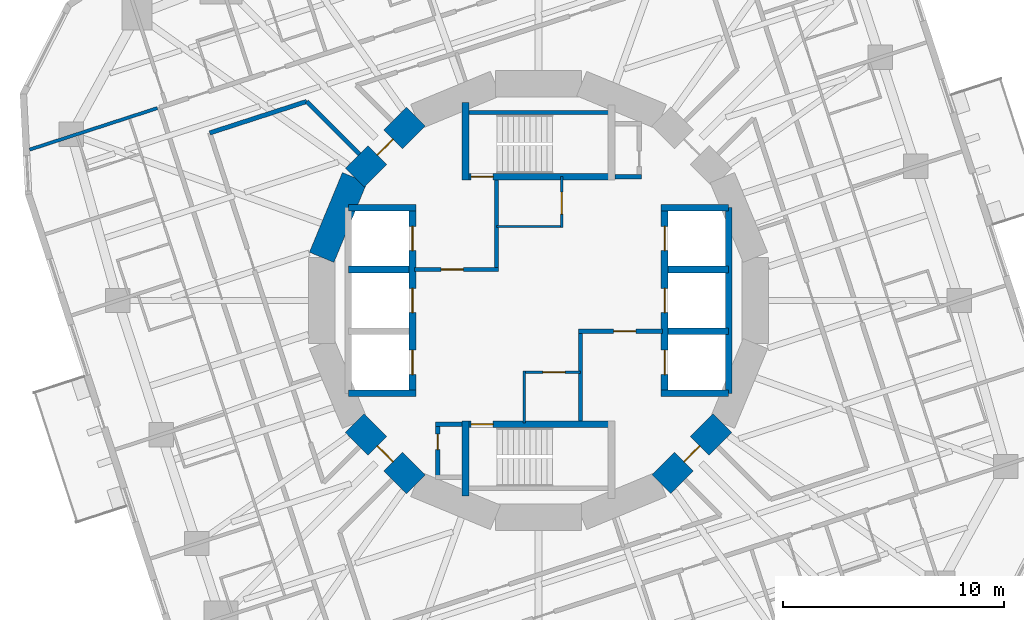
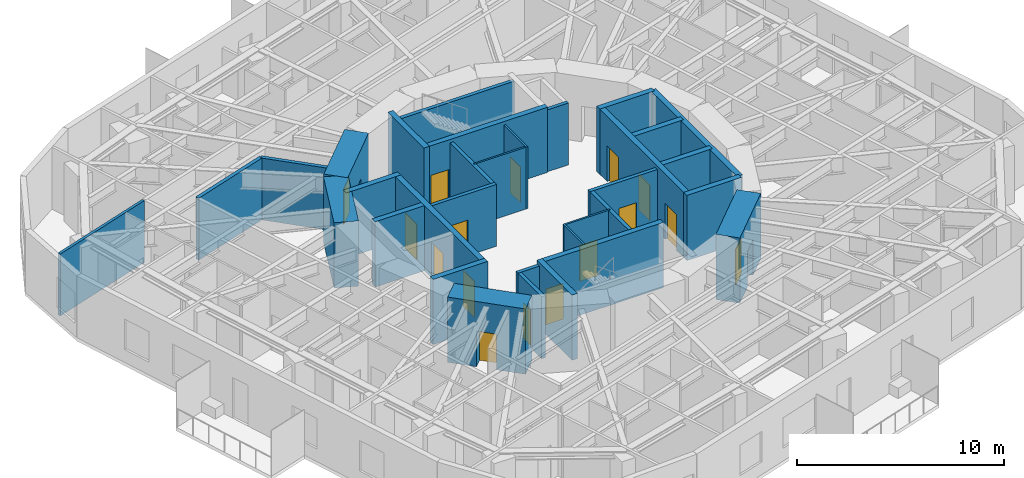
# One storey, part 6 of 12: 33 walls, 16 doors, 16 openings.
"""IFC4 building model written with IfcOpenShell, lengths in metres."""

from ifc_helpers import new_model, si_unit, direction, frame, frame_2d, origin, place, context, subcontext, project, spatial, rectangle, extrude, material, layer, layer_set, type_object, element, fill, save


model = new_model("IFC4")

# Units and contexts
model_context = context("Model", 3, precision=1e-05, world=origin(), true_north=direction((0.0, 1.0)))
body_context = subcontext(model_context, "Body", "Model", "MODEL_VIEW")
ifc_project = project(units=[si_unit("LENGTHUNIT", "METRE"), si_unit("AREAUNIT", "SQUARE_METRE"), si_unit("VOLUMEUNIT", "CUBIC_METRE"), si_unit("PLANEANGLEUNIT", "RADIAN"), si_unit("MASSUNIT", "GRAM", prefix="KILO")], contexts=[model_context])

# Site, building, storey
site_placement = place(None, origin())
site = spatial("IfcSite", under=ifc_project, at=site_placement, CompositionType="ELEMENT")
building_placement = place(site_placement, origin())
building = spatial("IfcBuilding", under=site, at=building_placement, Name="Nakasero Lantern House", CompositionType="ELEMENT")
storey_placement = place(building_placement, frame((0.0, 0.0, 172.60009765625)))
storey = spatial("IfcBuildingStorey", under=building, at=storey_placement, Name="L42", CompositionType="ELEMENT", Elevation=172.60009765625)

# Wall, openings, doors
ifc_material_1 = material(Name="Concrete C50/60", Category="concrete")
ifc_layer_1 = layer(ifc_material_1, 0.300048828125)
ifc_layer_set_1 = layer_set([ifc_layer_1], Name="Core inner wall 300")
wall_type_1 = type_object("IfcWallType", Name="Core inner wall 300", PredefinedType="SHEAR", material=ifc_layer_set_1)
wall_1_placement = place(storey_placement, frame((-5.699951171875, -4.199951171875, 0.0), z_axis=(0.0, 0.0, 1.0), x_axis=(0.0, 1.0, 0.0)))
wall_1 = element("IfcWall", 1, at=wall_1_placement, inside=storey, type_object=wall_type_1, Name="Core inner wall L42 LW", PredefinedType="SHEAR", context=body_context, shape_type="SweptSolid", body=[
    extrude(rectangle(XDim=8.39990234375, YDim=0.300048828125, at=frame_2d((4.199951171875, 0.0))), origin(), (0.0, 0.0, 1.0), 3.849853515625),
])
opening_1_placement = place(wall_1_placement, frame((0.85009765625, 0.0, 0.0)))
opening_1 = element("IfcOpeningElement", 2, at=opening_1_placement, cuts=wall_1, Name="Opening LD", PredefinedType="OPENING", context=body_context, shape_type="SweptSolid", body=[
    extrude(rectangle(XDim=1.10009765625, YDim=2.10009765625, at=frame_2d((0.550048828125, 1.050048828125))), frame((0.0, 0.169921875, 0.0), z_axis=(0.0, -1.0, 0.0), x_axis=(1.0, 0.0, 0.0)), (0.0, 0.0, 1.0), 0.340087890625),
])
opening_2_placement = place(wall_1_placement, frame((3.64990234375, 0.0, 0.0)))
opening_2 = element("IfcOpeningElement", 3, at=opening_2_placement, cuts=wall_1, Name="Opening LD", PredefinedType="OPENING", context=body_context, shape_type="SweptSolid", body=[
    extrude(rectangle(XDim=1.10009765625, YDim=2.10009765625, at=frame_2d((0.550048828125, 1.050048828125))), frame((0.0, 0.169921875, 0.0), z_axis=(0.0, -1.0, 0.0), x_axis=(1.0, 0.0, 0.0)), (0.0, 0.0, 1.0), 0.340087890625),
])
opening_3_placement = place(wall_1_placement, frame((6.449951171875, 0.0, 0.0)))
opening_3 = element("IfcOpeningElement", 4, at=opening_3_placement, cuts=wall_1, Name="Opening LD", PredefinedType="OPENING", context=body_context, shape_type="SweptSolid", body=[
    extrude(rectangle(XDim=1.10009765625, YDim=2.10009765625, at=frame_2d((0.550048828125, 1.050048828125))), frame((0.0, 0.169921875, 0.0), z_axis=(0.0, -1.0, 0.0), x_axis=(1.0, 0.0, 0.0)), (0.0, 0.0, 1.0), 0.340087890625),
])
ifc_material_2 = material(Name="Steel S355", Category="steel")
door_type_1 = type_object("IfcDoorType", Name="Lift landing door E120 1100", OperationType="SLIDING_TO_LEFT", PredefinedType="DOOR", material=ifc_material_2)
door_1_placement = place(opening_1_placement, origin())
door_1 = element("IfcDoor", 5, at=door_1_placement, inside=storey, type_object=door_type_1, Name="Lift landing door LW1", OperationType="SLIDING_TO_LEFT", OverallHeight=2.10009765625, OverallWidth=1.10009765625, PredefinedType="DOOR", context=body_context, shape_type="SweptSolid", body=[
    extrude(rectangle(XDim=1.10009765625, YDim=2.10009765625, at=frame_2d((0.550048828125, 1.050048828125))), frame((0.0, 0.02490234375, 0.0), z_axis=(0.0, -1.0, 0.0), x_axis=(1.0, 0.0, 0.0)), (0.0, 0.0, 1.0), 0.050048828125),
])
fill(opening_1, door_1)
door_2_placement = place(opening_2_placement, origin())
door_2 = element("IfcDoor", 6, at=door_2_placement, inside=storey, type_object=door_type_1, Name="Lift landing door LW2", OperationType="SLIDING_TO_LEFT", OverallHeight=2.10009765625, OverallWidth=1.10009765625, PredefinedType="DOOR", context=body_context, shape_type="SweptSolid", body=[
    extrude(rectangle(XDim=1.10009765625, YDim=2.10009765625, at=frame_2d((0.550048828125, 1.050048828125))), frame((0.0, 0.02490234375, 0.0), z_axis=(0.0, -1.0, 0.0), x_axis=(1.0, 0.0, 0.0)), (0.0, 0.0, 1.0), 0.050048828125),
])
fill(opening_2, door_2)
door_3_placement = place(opening_3_placement, origin())
door_3 = element("IfcDoor", 7, at=door_3_placement, inside=storey, type_object=door_type_1, Name="Lift landing door LW3", OperationType="SLIDING_TO_LEFT", OverallHeight=2.10009765625, OverallWidth=1.10009765625, PredefinedType="DOOR", context=body_context, shape_type="SweptSolid", body=[
    extrude(rectangle(XDim=1.10009765625, YDim=2.10009765625, at=frame_2d((0.550048828125, 1.050048828125))), frame((0.0, 0.02490234375, 0.0), z_axis=(0.0, -1.0, 0.0), x_axis=(1.0, 0.0, 0.0)), (0.0, 0.0, 1.0), 0.050048828125),
])
fill(opening_3, door_3)

wall_2_placement = place(storey_placement, frame((5.699951171875, -4.199951171875, 0.0), z_axis=(0.0, 0.0, 1.0), x_axis=(0.0, 1.0, 0.0)))
wall_2 = element("IfcWall", 8, at=wall_2_placement, inside=storey, type_object=wall_type_1, Name="Core inner wall L42 LE", PredefinedType="SHEAR", context=body_context, shape_type="SweptSolid", body=[
    extrude(rectangle(XDim=8.39990234375, YDim=0.300048828125, at=frame_2d((4.199951171875, 0.0))), origin(), (0.0, 0.0, 1.0), 3.849853515625),
])
opening_4_placement = place(wall_2_placement, frame((0.85009765625, 0.0, 0.0)))
opening_4 = element("IfcOpeningElement", 9, at=opening_4_placement, cuts=wall_2, Name="Opening LD", PredefinedType="OPENING", context=body_context, shape_type="SweptSolid", body=[
    extrude(rectangle(XDim=1.10009765625, YDim=2.10009765625, at=frame_2d((0.550048828125, 1.050048828125))), frame((0.0, 0.169921875, 0.0), z_axis=(0.0, -1.0, 0.0), x_axis=(1.0, 0.0, 0.0)), (0.0, 0.0, 1.0), 0.340087890625),
])
opening_5_placement = place(wall_2_placement, frame((3.64990234375, 0.0, 0.0)))
opening_5 = element("IfcOpeningElement", 10, at=opening_5_placement, cuts=wall_2, Name="Opening LD", PredefinedType="OPENING", context=body_context, shape_type="SweptSolid", body=[
    extrude(rectangle(XDim=1.10009765625, YDim=2.10009765625, at=frame_2d((0.550048828125, 1.050048828125))), frame((0.0, 0.169921875, 0.0), z_axis=(0.0, -1.0, 0.0), x_axis=(1.0, 0.0, 0.0)), (0.0, 0.0, 1.0), 0.340087890625),
])
opening_6_placement = place(wall_2_placement, frame((6.449951171875, 0.0, 0.0)))
opening_6 = element("IfcOpeningElement", 11, at=opening_6_placement, cuts=wall_2, Name="Opening LD", PredefinedType="OPENING", context=body_context, shape_type="SweptSolid", body=[
    extrude(rectangle(XDim=1.10009765625, YDim=2.10009765625, at=frame_2d((0.550048828125, 1.050048828125))), frame((0.0, 0.169921875, 0.0), z_axis=(0.0, -1.0, 0.0), x_axis=(1.0, 0.0, 0.0)), (0.0, 0.0, 1.0), 0.340087890625),
])
door_4_placement = place(opening_4_placement, origin())
door_4 = element("IfcDoor", 12, at=door_4_placement, inside=storey, type_object=door_type_1, Name="Lift landing door LE1", OperationType="SLIDING_TO_LEFT", OverallHeight=2.10009765625, OverallWidth=1.10009765625, PredefinedType="DOOR", context=body_context, shape_type="SweptSolid", body=[
    extrude(rectangle(XDim=1.10009765625, YDim=2.10009765625, at=frame_2d((0.550048828125, 1.050048828125))), frame((0.0, 0.02490234375, 0.0), z_axis=(0.0, -1.0, 0.0), x_axis=(1.0, 0.0, 0.0)), (0.0, 0.0, 1.0), 0.050048828125),
])
fill(opening_4, door_4)
door_5_placement = place(opening_5_placement, origin())
door_5 = element("IfcDoor", 13, at=door_5_placement, inside=storey, type_object=door_type_1, Name="Lift landing door LE2", OperationType="SLIDING_TO_LEFT", OverallHeight=2.10009765625, OverallWidth=1.10009765625, PredefinedType="DOOR", context=body_context, shape_type="SweptSolid", body=[
    extrude(rectangle(XDim=1.10009765625, YDim=2.10009765625, at=frame_2d((0.550048828125, 1.050048828125))), frame((0.0, 0.02490234375, 0.0), z_axis=(0.0, -1.0, 0.0), x_axis=(1.0, 0.0, 0.0)), (0.0, 0.0, 1.0), 0.050048828125),
])
fill(opening_5, door_5)
door_6_placement = place(opening_6_placement, origin())
door_6 = element("IfcDoor", 14, at=door_6_placement, inside=storey, type_object=door_type_1, Name="Lift landing door LE3", OperationType="SLIDING_TO_LEFT", OverallHeight=2.10009765625, OverallWidth=1.10009765625, PredefinedType="DOOR", context=body_context, shape_type="SweptSolid", body=[
    extrude(rectangle(XDim=1.10009765625, YDim=2.10009765625, at=frame_2d((0.550048828125, 1.050048828125))), frame((0.0, 0.02490234375, 0.0), z_axis=(0.0, -1.0, 0.0), x_axis=(1.0, 0.0, 0.0)), (0.0, 0.0, 1.0), 0.050048828125),
])
fill(opening_6, door_6)

# Walls
for number, where, z_axis, x_axis, name in (
    (15, (-8.60009765625, 4.199951171875, 0.0), (0.0, 0.0, 1.0), (1.0, 0.0, 0.0), "Core inner wall L42 LWN"),
    (16, (-8.60009765625, -4.199951171875, 0.0), (0.0, 0.0, 1.0), (1.0, 0.0, 0.0), "Core inner wall L42 LWS"),
    (17, (5.550048828125, 4.199951171875, 0.0), (0.0, 0.0, 1.0), (1.0, 0.0, 0.0), "Core inner wall L42 LEN"),
    (18, (5.550048828125, -4.199951171875, 0.0), (0.0, 0.0, 1.0), (1.0, 0.0, 0.0), "Core inner wall L42 LES"),
):
    element("IfcWall", number, at=place(storey_placement, frame(where, z_axis=z_axis, x_axis=x_axis)), inside=storey, type_object=wall_type_1, Name=name, PredefinedType="SHEAR", context=body_context, shape_type="SweptSolid", body=[
        extrude(rectangle(XDim=3.050048828125, YDim=0.300048828125, at=frame_2d((1.52490234375, 0.0))), origin(), (0.0, 0.0, 1.0), 3.849853515625),
    ])
wall_3_placement = place(storey_placement, frame((8.60009765625, -4.199951171875, 0.0), z_axis=(0.0, 0.0, 1.0), x_axis=(0.0, 1.0, 0.0)))
element("IfcWall", 19, at=wall_3_placement, inside=storey, type_object=wall_type_1, Name="Core inner wall L42 LEB", PredefinedType="SHEAR", context=body_context, shape_type="SweptSolid", body=[
    extrude(rectangle(XDim=8.39990234375, YDim=0.300048828125, at=frame_2d((4.199951171875, 0.0))), origin(), (0.0, 0.0, 1.0), 3.849853515625),
])
for number, where, z_axis, x_axis, name in (
    (20, (-8.60009765625, 1.39990234375, 0.0), (0.0, 0.0, 1.0), (1.0, 0.0, 0.0), "Core inner wall L42 LW2"),
    (21, (5.85009765625, -1.39990234375, 0.0), (0.0, 0.0, 1.0), (1.0, 0.0, 0.0), "Core inner wall L42 LE1"),
    (22, (5.85009765625, 1.39990234375, 0.0), (0.0, 0.0, 1.0), (1.0, 0.0, 0.0), "Core inner wall L42 LE2"),
):
    element("IfcWall", number, at=place(storey_placement, frame(where, z_axis=z_axis, x_axis=x_axis)), inside=storey, type_object=wall_type_1, Name=name, PredefinedType="SHEAR", context=body_context, shape_type="SweptSolid", body=[
        extrude(rectangle(XDim=2.75, YDim=0.300048828125, at=frame_2d((1.375, 0.0))), origin(), (0.0, 0.0, 1.0), 3.849853515625),
    ])

# Wall, opening, door
wall_4_placement = place(storey_placement, frame((-3.449951171875, 5.60009765625, 0.0), z_axis=(0.0, 0.0, 1.0), x_axis=(1.0, 0.0, 0.0)))
wall_4 = element("IfcWall", 23, at=wall_4_placement, inside=storey, type_object=wall_type_1, Name="Core inner wall L42 SN", PredefinedType="SHEAR", context=body_context, shape_type="SweptSolid", body=[
    extrude(rectangle(XDim=6.89990234375, YDim=0.300048828125, at=frame_2d((3.449951171875, 0.0))), origin(), (0.0, 0.0, 1.0), 3.849853515625),
])
opening_7_placement = place(wall_4_placement, frame((0.39990234375, 0.0, 0.0)))
opening_7 = element("IfcOpeningElement", 24, at=opening_7_placement, cuts=wall_4, Name="Opening D05", PredefinedType="OPENING", context=body_context, shape_type="SweptSolid", body=[
    extrude(rectangle(XDim=1.0, YDim=2.10009765625, at=frame_2d((0.5, 1.050048828125))), frame((0.0, 0.169921875, 0.0), z_axis=(0.0, -1.0, 0.0), x_axis=(1.0, 0.0, 0.0)), (0.0, 0.0, 1.0), 0.340087890625),
])
ifc_material_3 = material(Name="Timber C24", Category="wood")
door_type_2 = type_object("IfcDoorType", Name="Core door FD60S 1000", OperationType="SINGLE_SWING_LEFT", PredefinedType="DOOR", material=ifc_material_3)
door_7_placement = place(opening_7_placement, origin())
door_7 = element("IfcDoor", 25, at=door_7_placement, inside=storey, type_object=door_type_2, Name="Door L42 D-ST1", OperationType="SINGLE_SWING_LEFT", OverallHeight=2.10009765625, OverallWidth=1.0, PredefinedType="DOOR", context=body_context, shape_type="SweptSolid", body=[
    extrude(rectangle(XDim=1.0, YDim=2.10009765625, at=frame_2d((0.5, 1.050048828125))), frame((0.0, 0.02490234375, 0.0), z_axis=(0.0, -1.0, 0.0), x_axis=(1.0, 0.0, 0.0)), (0.0, 0.0, 1.0), 0.050048828125),
])
fill(opening_7, door_7)

# Wall
wall_5_placement = place(storey_placement, frame((-3.300048828125, 5.449951171875, 0.0), z_axis=(0.0, 0.0, 1.0), x_axis=(0.0, 1.0, 0.0)))
element("IfcWall", 26, at=wall_5_placement, inside=storey, type_object=wall_type_1, Name="Core inner wall L42 SNW", PredefinedType="SHEAR", context=body_context, shape_type="SweptSolid", body=[
    extrude(rectangle(XDim=3.5, YDim=0.300048828125, at=frame_2d((1.75, 0.0))), origin(), (0.0, 0.0, 1.0), 3.849853515625),
])

# Wall, opening, door
wall_6_placement = place(storey_placement, frame((-3.449951171875, -5.60009765625, 0.0), z_axis=(0.0, 0.0, 1.0), x_axis=(1.0, 0.0, 0.0)))
wall_6 = element("IfcWall", 27, at=wall_6_placement, inside=storey, type_object=wall_type_1, Name="Core inner wall L42 SS", PredefinedType="SHEAR", context=body_context, shape_type="SweptSolid", body=[
    extrude(rectangle(XDim=6.89990234375, YDim=0.300048828125, at=frame_2d((3.449951171875, 0.0))), origin(), (0.0, 0.0, 1.0), 3.849853515625),
])
opening_8_placement = place(wall_6_placement, frame((0.39990234375, 0.0, 0.0)))
opening_8 = element("IfcOpeningElement", 28, at=opening_8_placement, cuts=wall_6, Name="Opening D05", PredefinedType="OPENING", context=body_context, shape_type="SweptSolid", body=[
    extrude(rectangle(XDim=1.0, YDim=2.10009765625, at=frame_2d((0.5, 1.050048828125))), frame((0.0, 0.169921875, 0.0), z_axis=(0.0, -1.0, 0.0), x_axis=(1.0, 0.0, 0.0)), (0.0, 0.0, 1.0), 0.340087890625),
])
door_8_placement = place(opening_8_placement, origin())
door_8 = element("IfcDoor", 29, at=door_8_placement, inside=storey, type_object=door_type_2, Name="Door L42 D-ST2", OperationType="SINGLE_SWING_LEFT", OverallHeight=2.10009765625, OverallWidth=1.0, PredefinedType="DOOR", context=body_context, shape_type="SweptSolid", body=[
    extrude(rectangle(XDim=1.0, YDim=2.10009765625, at=frame_2d((0.5, 1.050048828125))), frame((0.0, 0.02490234375, 0.0), z_axis=(0.0, -1.0, 0.0), x_axis=(1.0, 0.0, 0.0)), (0.0, 0.0, 1.0), 0.050048828125),
])
fill(opening_8, door_8)

# Walls
wall_7_placement = place(storey_placement, frame((-3.300048828125, -5.449951171875, 0.0), z_axis=(0.0, 0.0, 1.0), x_axis=(0.0, -1.0, 0.0)))
element("IfcWall", 30, at=wall_7_placement, inside=storey, type_object=wall_type_1, Name="Core inner wall L42 SSW", PredefinedType="SHEAR", context=body_context, shape_type="SweptSolid", body=[
    extrude(rectangle(XDim=3.400146484375, YDim=0.300048828125, at=frame_2d((1.7001953125, 0.0))), origin(), (0.0, 0.0, 1.0), 3.849853515625),
])
ifc_material_4 = material(Name="Blockwork", Category="masonry")
ifc_layer_2 = layer(ifc_material_4, 0.10009765625)
ifc_layer_set_2 = layer_set([ifc_layer_2], Name="Core room wall 100")
wall_type_2 = type_object("IfcWallType", Name="Core room wall 100", PredefinedType="PARTITIONING", material=ifc_layer_set_2)
wall_8_placement = place(storey_placement, frame((-1.89990234375, 3.35009765625, 0.0), z_axis=(0.0, 0.0, 1.0), x_axis=(1.0, 0.0, 0.0)))
element("IfcWall", 31, at=wall_8_placement, inside=storey, type_object=wall_type_2, Name="Core room wall L42 CR-NES", PredefinedType="PARTITIONING", context=body_context, shape_type="SweptSolid", body=[
    extrude(rectangle(XDim=3.0, YDim=0.10009765625, at=frame_2d((1.5, 0.0))), origin(), (0.0, 0.0, 1.0), 3.64990234375),
])

# Wall, opening, door
wall_9_placement = place(storey_placement, frame((1.050048828125, 3.300048828125, 0.0), z_axis=(0.0, 0.0, 1.0), x_axis=(0.0, 1.0, 0.0)))
wall_9 = element("IfcWall", 32, at=wall_9_placement, inside=storey, type_object=wall_type_2, Name="Core room wall L42 CR-NEE", PredefinedType="PARTITIONING", context=body_context, shape_type="SweptSolid", body=[
    extrude(rectangle(XDim=2.300048828125, YDim=0.10009765625, at=frame_2d((1.14990234375, 0.0))), origin(), (0.0, 0.0, 1.0), 3.64990234375),
])
opening_9_placement = place(wall_9_placement, frame((0.60009765625, 0.0, 0.0)))
opening_9 = element("IfcOpeningElement", 33, at=opening_9_placement, cuts=wall_9, Name="Opening D13", PredefinedType="OPENING", context=body_context, shape_type="SweptSolid", body=[
    extrude(rectangle(XDim=1.0, YDim=2.10009765625, at=frame_2d((0.5, 1.050048828125))), frame((0.0, 0.070068359375, 0.0), z_axis=(0.0, -1.0, 0.0), x_axis=(1.0, 0.0, 0.0)), (0.0, 0.0, 1.0), 0.14013671875),
])
ifc_material_5 = material(Name="Steel S355", Category="steel")
door_type_3 = type_object("IfcDoorType", Name="Plant room door FD60 1000", OperationType="SINGLE_SWING_LEFT", PredefinedType="DOOR", material=ifc_material_5)
door_9_placement = place(opening_9_placement, origin())
door_9 = element("IfcDoor", 34, at=door_9_placement, inside=storey, type_object=door_type_3, Name="Door L42 D-CR-NE", OperationType="SINGLE_SWING_LEFT", OverallHeight=2.10009765625, OverallWidth=1.0, PredefinedType="DOOR", context=body_context, shape_type="SweptSolid", body=[
    extrude(rectangle(XDim=1.0, YDim=2.10009765625, at=frame_2d((0.5, 1.050048828125))), frame((0.0, 0.02490234375, 0.0), z_axis=(0.0, -1.0, 0.0), x_axis=(1.0, 0.0, 0.0)), (0.0, 0.0, 1.0), 0.050048828125),
])
fill(opening_9, door_9)

wall_10_placement = place(storey_placement, frame((-0.699951171875, -3.25, 0.0), z_axis=(0.0, 0.0, 1.0), x_axis=(1.0, 0.0, 0.0)))
wall_10 = element("IfcWall", 35, at=wall_10_placement, inside=storey, type_object=wall_type_2, Name="Core room wall L42 CR-SWN", PredefinedType="PARTITIONING", context=body_context, shape_type="SweptSolid", body=[
    extrude(rectangle(XDim=2.599853515625, YDim=0.10009765625, at=frame_2d((1.2998046875, 0.0))), origin(), (0.0, 0.0, 1.0), 3.64990234375),
])
opening_10_placement = place(wall_10_placement, frame((0.89990234375, 0.0, 0.0)))
opening_10 = element("IfcOpeningElement", 36, at=opening_10_placement, cuts=wall_10, Name="Opening D07", PredefinedType="OPENING", context=body_context, shape_type="SweptSolid", body=[
    extrude(rectangle(XDim=1.0, YDim=2.10009765625, at=frame_2d((0.5, 1.050048828125))), frame((0.0, 0.070068359375, 0.0), z_axis=(0.0, -1.0, 0.0), x_axis=(1.0, 0.0, 0.0)), (0.0, 0.0, 1.0), 0.14013671875),
])
ifc_material_6 = material(Name="Timber C24", Category="wood")
door_type_4 = type_object("IfcDoorType", Name="Room door FD30S 1000", OperationType="SINGLE_SWING_LEFT", PredefinedType="DOOR", material=ifc_material_6)
door_10_placement = place(opening_10_placement, origin())
door_10 = element("IfcDoor", 37, at=door_10_placement, inside=storey, type_object=door_type_4, Name="Door L42 D-CR-SW", OperationType="SINGLE_SWING_RIGHT", OverallHeight=2.10009765625, OverallWidth=1.0, PredefinedType="DOOR", context=body_context, shape_type="SweptSolid", body=[
    extrude(rectangle(XDim=1.0, YDim=2.10009765625, at=frame_2d((0.5, 1.050048828125))), frame((0.0, 0.02490234375, 0.0), z_axis=(0.0, -1.0, 0.0), x_axis=(1.0, 0.0, 0.0)), (0.0, 0.0, 1.0), 0.050048828125),
])
fill(opening_10, door_10)

# Wall
wall_11_placement = place(storey_placement, frame((-0.64990234375, -5.550048828125, 0.0), z_axis=(0.0, 0.0, 1.0), x_axis=(0.0, 1.0, 0.0)))
element("IfcWall", 38, at=wall_11_placement, inside=storey, type_object=wall_type_2, Name="Core room wall L42 CR-SWW", PredefinedType="PARTITIONING", context=body_context, shape_type="SweptSolid", body=[
    extrude(rectangle(XDim=2.35009765625, YDim=0.10009765625, at=frame_2d((1.175048828125, 0.0))), origin(), (0.0, 0.0, 1.0), 3.64990234375),
])

# Wall, opening, door
ifc_material_7 = material(Name="Concrete C50/60", Category="concrete")
ifc_layer_3 = layer(ifc_material_7, 1.199951171875)
ifc_layer_set_3 = layer_set([ifc_layer_3], Name="Core wall 1200")
wall_type_3 = type_object("IfcWallType", Name="Core wall 1200", PredefinedType="SHEAR", material=ifc_layer_set_3)
wall_12_placement = place(storey_placement, frame((-5.5556640625, 8.314697265625, 0.0), z_axis=(0.0, 0.0, 1.0), x_axis=(-0.707106781187, -0.707106781187, 0.0)))
wall_12 = element("IfcWall", 39, at=wall_12_placement, inside=storey, type_object=wall_type_3, Name="Core wall L42 facet 6", PredefinedType="SHEAR", context=body_context, shape_type="SweptSolid", body=[
    extrude(rectangle(XDim=3.90185546875, YDim=1.199951171875, at=frame_2d((1.950927734375, 0.0))), origin(), (0.0, 0.0, 1.0), 3.849853515625),
])
opening_11_placement = place(wall_12_placement, frame((1.450927734375, 0.0, 0.0)))
opening_11 = element("IfcOpeningElement", 40, at=opening_11_placement, cuts=wall_12, Name="Opening D05", PredefinedType="OPENING", context=body_context, shape_type="SweptSolid", body=[
    extrude(rectangle(XDim=1.0, YDim=2.10009765625, at=frame_2d((0.5, 1.050048828125))), frame((0.0, 0.619873046875, 0.0), z_axis=(0.0, -1.0, 0.0), x_axis=(1.0, 0.0, 0.0)), (0.0, 0.0, 1.0), 1.239990234375),
])
door_11_placement = place(opening_11_placement, origin())
door_11 = element("IfcDoor", 41, at=door_11_placement, inside=storey, type_object=door_type_2, Name="Door L42 D-CORE06", OperationType="SINGLE_SWING_LEFT", OverallHeight=2.10009765625, OverallWidth=1.0, PredefinedType="DOOR", context=body_context, shape_type="SweptSolid", body=[
    extrude(rectangle(XDim=1.0, YDim=2.10009765625, at=frame_2d((0.5, 1.050048828125))), frame((0.0, 0.02490234375, 0.0), z_axis=(0.0, -1.0, 0.0), x_axis=(1.0, 0.0, 0.0)), (0.0, 0.0, 1.0), 0.050048828125),
])
fill(opening_11, door_11)

# Wall
wall_13_placement = place(storey_placement, frame((-8.314697265625, 5.5556640625, 0.0), z_axis=(0.0, 0.0, 1.0), x_axis=(-0.382690736062, -0.923876507187, 0.0)))
element("IfcWall", 42, at=wall_13_placement, inside=storey, type_object=wall_type_3, Name="Core wall L42 facet 7", PredefinedType="SHEAR", context=body_context, shape_type="SweptSolid", body=[
    extrude(rectangle(XDim=3.90185546875, YDim=1.199951171875, at=frame_2d((1.950927734375, 0.0))), origin(), (0.0, 0.0, 1.0), 3.849853515625),
])

# Wall, opening, door
wall_14_placement = place(storey_placement, frame((-8.314697265625, -5.5556640625, 0.0), z_axis=(0.0, 0.0, 1.0), x_axis=(0.707106781187, -0.707106781187, 0.0)))
wall_14 = element("IfcWall", 43, at=wall_14_placement, inside=storey, type_object=wall_type_3, Name="Core wall L42 facet 10", PredefinedType="SHEAR", context=body_context, shape_type="SweptSolid", body=[
    extrude(rectangle(XDim=3.90185546875, YDim=1.199951171875, at=frame_2d((1.950927734375, 0.0))), origin(), (0.0, 0.0, 1.0), 3.849853515625),
])
opening_12_placement = place(wall_14_placement, frame((1.450927734375, 0.0, 0.0)))
opening_12 = element("IfcOpeningElement", 44, at=opening_12_placement, cuts=wall_14, Name="Opening D05", PredefinedType="OPENING", context=body_context, shape_type="SweptSolid", body=[
    extrude(rectangle(XDim=1.0, YDim=2.10009765625, at=frame_2d((0.5, 1.050048828125))), frame((0.0, 0.619873046875, 0.0), z_axis=(0.0, -1.0, 0.0), x_axis=(1.0, 0.0, 0.0)), (0.0, 0.0, 1.0), 1.239990234375),
])
door_12_placement = place(opening_12_placement, origin())
door_12 = element("IfcDoor", 45, at=door_12_placement, inside=storey, type_object=door_type_2, Name="Door L42 D-CORE10", OperationType="SINGLE_SWING_LEFT", OverallHeight=2.10009765625, OverallWidth=1.0, PredefinedType="DOOR", context=body_context, shape_type="SweptSolid", body=[
    extrude(rectangle(XDim=1.0, YDim=2.10009765625, at=frame_2d((0.5, 1.050048828125))), frame((0.0, 0.02490234375, 0.0), z_axis=(0.0, -1.0, 0.0), x_axis=(1.0, 0.0, 0.0)), (0.0, 0.0, 1.0), 0.050048828125),
])
fill(opening_12, door_12)

wall_15_placement = place(storey_placement, frame((5.5556640625, -8.314697265625, 0.0), z_axis=(0.0, 0.0, 1.0), x_axis=(0.707106781187, 0.707106781187, 0.0)))
wall_15 = element("IfcWall", 46, at=wall_15_placement, inside=storey, type_object=wall_type_3, Name="Core wall L42 facet 14", PredefinedType="SHEAR", context=body_context, shape_type="SweptSolid", body=[
    extrude(rectangle(XDim=3.90185546875, YDim=1.199951171875, at=frame_2d((1.950927734375, 0.0))), origin(), (0.0, 0.0, 1.0), 3.849853515625),
])
opening_13_placement = place(wall_15_placement, frame((1.450927734375, 0.0, 0.0)))
opening_13 = element("IfcOpeningElement", 47, at=opening_13_placement, cuts=wall_15, Name="Opening D05", PredefinedType="OPENING", context=body_context, shape_type="SweptSolid", body=[
    extrude(rectangle(XDim=1.0, YDim=2.10009765625, at=frame_2d((0.5, 1.050048828125))), frame((0.0, 0.619873046875, 0.0), z_axis=(0.0, -1.0, 0.0), x_axis=(1.0, 0.0, 0.0)), (0.0, 0.0, 1.0), 1.239990234375),
])
door_13_placement = place(opening_13_placement, origin())
door_13 = element("IfcDoor", 48, at=door_13_placement, inside=storey, type_object=door_type_2, Name="Door L42 D-CORE14", OperationType="SINGLE_SWING_LEFT", OverallHeight=2.10009765625, OverallWidth=1.0, PredefinedType="DOOR", context=body_context, shape_type="SweptSolid", body=[
    extrude(rectangle(XDim=1.0, YDim=2.10009765625, at=frame_2d((0.5, 1.050048828125))), frame((0.0, 0.02490234375, 0.0), z_axis=(0.0, -1.0, 0.0), x_axis=(1.0, 0.0, 0.0)), (0.0, 0.0, 1.0), 0.050048828125),
])
fill(opening_13, door_13)

# Walls
ifc_material_8 = material(Name="Blockwork", Category="masonry")
ifc_layer_4 = layer(ifc_material_8, 0.199951171875)
ifc_layer_set_4 = layer_set([ifc_layer_4], Name="Corridor wall 200")
wall_type_4 = type_object("IfcWallType", Name="Corridor wall 200", PredefinedType="PARTITIONING", material=ifc_layer_set_4)
wall_16_placement = place(storey_placement, frame((-10.4853515625, 9.00048828125, 0.0), z_axis=(0.0, 0.0, 1.0), x_axis=(-0.951055475561, -0.309020197406, 0.0)))
element("IfcWall", 49, at=wall_16_placement, inside=storey, type_object=wall_type_4, Name="Corridor wall L42 IW1-1", PredefinedType="PARTITIONING", context=body_context, shape_type="SweptSolid", body=[
    extrude(rectangle(XDim=4.609130859375, YDim=0.199951171875, at=frame_2d((2.3046875, 0.0))), origin(), (0.0, 0.0, 1.0), 3.64990234375),
])
wall_17_placement = place(storey_placement, frame((-8.101806640625, 6.616943359375, 0.0), z_axis=(0.0, 0.0, 1.0), x_axis=(-0.707106781187, 0.707106781187, 0.0)))
element("IfcWall", 50, at=wall_17_placement, inside=storey, type_object=wall_type_4, Name="Corridor wall L42 PS06a", PredefinedType="PARTITIONING", context=body_context, shape_type="SweptSolid", body=[
    extrude(rectangle(XDim=3.370849609375, YDim=0.199951171875, at=frame_2d((1.685546875, 0.0))), origin(), (0.0, 0.0, 1.0), 3.64990234375),
])

# Wall, opening, door
ifc_material_9 = material(Name="Blockwork", Category="masonry")
ifc_layer_5 = layer(ifc_material_9, 0.199951171875)
ifc_layer_set_5 = layer_set([ifc_layer_5], Name="Fire lobby wall 200")
wall_type_5 = type_object("IfcWallType", Name="Fire lobby wall 200", PredefinedType="PARTITIONING", material=ifc_layer_set_5)
wall_18_placement = place(storey_placement, frame((-5.60009765625, 1.39990234375, 0.0), z_axis=(0.0, 0.0, 1.0), x_axis=(1.0, 0.0, 0.0)))
wall_18 = element("IfcWall", 51, at=wall_18_placement, inside=storey, type_object=wall_type_5, Name="Fire lobby wall L42 W-FL1S", PredefinedType="PARTITIONING", context=body_context, shape_type="SweptSolid", body=[
    extrude(rectangle(XDim=3.800048828125, YDim=0.199951171875, at=frame_2d((1.89990234375, 0.0))), origin(), (0.0, 0.0, 1.0), 3.64990234375),
])
opening_14_placement = place(wall_18_placement, frame((1.199951171875, 0.0, 0.0)))
opening_14 = element("IfcOpeningElement", 52, at=opening_14_placement, cuts=wall_18, Name="Opening D05", PredefinedType="OPENING", context=body_context, shape_type="SweptSolid", body=[
    extrude(rectangle(XDim=1.0, YDim=2.10009765625, at=frame_2d((0.5, 1.050048828125))), frame((0.0, 0.119873046875, 0.0), z_axis=(0.0, -1.0, 0.0), x_axis=(1.0, 0.0, 0.0)), (0.0, 0.0, 1.0), 0.239990234375),
])
door_14_placement = place(opening_14_placement, origin())
door_14 = element("IfcDoor", 53, at=door_14_placement, inside=storey, type_object=door_type_2, Name="Door L42 D-FL1", OperationType="SINGLE_SWING_LEFT", OverallHeight=2.10009765625, OverallWidth=1.0, PredefinedType="DOOR", context=body_context, shape_type="SweptSolid", body=[
    extrude(rectangle(XDim=1.0, YDim=2.10009765625, at=frame_2d((0.5, 1.050048828125))), frame((0.0, 0.02490234375, 0.0), z_axis=(0.0, -1.0, 0.0), x_axis=(1.0, 0.0, 0.0)), (0.0, 0.0, 1.0), 0.050048828125),
])
fill(opening_14, door_14)

# Wall
wall_19_placement = place(storey_placement, frame((-1.89990234375, 1.5, 0.0), z_axis=(0.0, 0.0, 1.0), x_axis=(0.0, 1.0, 0.0)))
element("IfcWall", 54, at=wall_19_placement, inside=storey, type_object=wall_type_5, Name="Fire lobby wall L42 W-FL1E", PredefinedType="PARTITIONING", context=body_context, shape_type="SweptSolid", body=[
    extrude(rectangle(XDim=3.949951171875, YDim=0.199951171875, at=frame_2d((1.97509765625, 0.0))), origin(), (0.0, 0.0, 1.0), 3.64990234375),
])

# Wall, opening, door
wall_20_placement = place(storey_placement, frame((5.60009765625, -1.39990234375, 0.0), z_axis=(0.0, 0.0, 1.0), x_axis=(-1.0, 0.0, 0.0)))
wall_20 = element("IfcWall", 55, at=wall_20_placement, inside=storey, type_object=wall_type_5, Name="Fire lobby wall L42 W-FL2N", PredefinedType="PARTITIONING", context=body_context, shape_type="SweptSolid", body=[
    extrude(rectangle(XDim=3.800048828125, YDim=0.199951171875, at=frame_2d((1.89990234375, 0.0))), origin(), (0.0, 0.0, 1.0), 3.64990234375),
])
opening_15_placement = place(wall_20_placement, frame((1.199951171875, 0.0, 0.0)))
opening_15 = element("IfcOpeningElement", 56, at=opening_15_placement, cuts=wall_20, Name="Opening D05", PredefinedType="OPENING", context=body_context, shape_type="SweptSolid", body=[
    extrude(rectangle(XDim=1.0, YDim=2.10009765625, at=frame_2d((0.5, 1.050048828125))), frame((0.0, 0.119873046875, 0.0), z_axis=(0.0, -1.0, 0.0), x_axis=(1.0, 0.0, 0.0)), (0.0, 0.0, 1.0), 0.239990234375),
])
door_15_placement = place(opening_15_placement, origin())
door_15 = element("IfcDoor", 57, at=door_15_placement, inside=storey, type_object=door_type_2, Name="Door L42 D-FL2", OperationType="SINGLE_SWING_LEFT", OverallHeight=2.10009765625, OverallWidth=1.0, PredefinedType="DOOR", context=body_context, shape_type="SweptSolid", body=[
    extrude(rectangle(XDim=1.0, YDim=2.10009765625, at=frame_2d((0.5, 1.050048828125))), frame((0.0, 0.02490234375, 0.0), z_axis=(0.0, -1.0, 0.0), x_axis=(1.0, 0.0, 0.0)), (0.0, 0.0, 1.0), 0.050048828125),
])
fill(opening_15, door_15)

# Walls
wall_21_placement = place(storey_placement, frame((1.89990234375, -1.5, 0.0), z_axis=(0.0, 0.0, 1.0), x_axis=(0.0, -1.0, 0.0)))
element("IfcWall", 58, at=wall_21_placement, inside=storey, type_object=wall_type_5, Name="Fire lobby wall L42 W-FL2W", PredefinedType="PARTITIONING", context=body_context, shape_type="SweptSolid", body=[
    extrude(rectangle(XDim=3.949951171875, YDim=0.199951171875, at=frame_2d((1.97509765625, 0.0))), origin(), (0.0, 0.0, 1.0), 3.64990234375),
])
wall_22_placement = place(storey_placement, frame((3.449951171875, 5.60009765625, 0.0), z_axis=(0.0, 0.0, 1.0), x_axis=(1.0, 0.0, 0.0)))
element("IfcWall", 59, at=wall_22_placement, inside=storey, type_object=wall_type_5, Name="Fire lobby wall L42 W-RS1S", PredefinedType="PARTITIONING", context=body_context, shape_type="SweptSolid", body=[
    extrude(rectangle(XDim=1.199951171875, YDim=0.199951171875, at=frame_2d((0.60009765625, 0.0))), origin(), (0.0, 0.0, 1.0), 3.64990234375),
])

# Wall, opening, door
wall_23_placement = place(storey_placement, frame((-4.550048828125, -5.60009765625, 0.0), z_axis=(0.0, 0.0, 1.0), x_axis=(0.0, -1.0, 0.0)))
wall_23 = element("IfcWall", 60, at=wall_23_placement, inside=storey, type_object=wall_type_5, Name="Fire lobby wall L42 W-RS2W", PredefinedType="PARTITIONING", context=body_context, shape_type="SweptSolid", body=[
    extrude(rectangle(XDim=2.39990234375, YDim=0.199951171875, at=frame_2d((1.199951171875, 0.0))), origin(), (0.0, 0.0, 1.0), 3.64990234375),
])
opening_16_placement = place(wall_23_placement, frame((0.449951171875, 0.0, 0.0)))
opening_16 = element("IfcOpeningElement", 61, at=opening_16_placement, cuts=wall_23, Name="Opening D06", PredefinedType="OPENING", context=body_context, shape_type="SweptSolid", body=[
    extrude(rectangle(XDim=0.699951171875, YDim=2.10009765625, at=frame_2d((0.35009765625, 1.050048828125))), frame((0.0, 0.119873046875, 0.0), z_axis=(0.0, -1.0, 0.0), x_axis=(1.0, 0.0, 0.0)), (0.0, 0.0, 1.0), 0.239990234375),
])
ifc_material_10 = material(Name="Steel S355", Category="steel")
door_type_5 = type_object("IfcDoorType", Name="Riser door FD60 700", OperationType="SINGLE_SWING_LEFT", PredefinedType="DOOR", material=ifc_material_10)
door_16_placement = place(opening_16_placement, origin())
door_16 = element("IfcDoor", 62, at=door_16_placement, inside=storey, type_object=door_type_5, Name="Door L42 D-RS2", OperationType="SINGLE_SWING_LEFT", OverallHeight=2.10009765625, OverallWidth=0.699951171875, PredefinedType="DOOR", context=body_context, shape_type="SweptSolid", body=[
    extrude(rectangle(XDim=0.699951171875, YDim=2.10009765625, at=frame_2d((0.35009765625, 1.050048828125))), frame((0.0, 0.02490234375, 0.0), z_axis=(0.0, -1.0, 0.0), x_axis=(1.0, 0.0, 0.0)), (0.0, 0.0, 1.0), 0.050048828125),
])
fill(opening_16, door_16)

# Walls
wall_24_placement = place(storey_placement, frame((-3.449951171875, -5.60009765625, 0.0), z_axis=(0.0, 0.0, 1.0), x_axis=(-1.0, 0.0, 0.0)))
element("IfcWall", 63, at=wall_24_placement, inside=storey, type_object=wall_type_5, Name="Fire lobby wall L42 W-RS2N", PredefinedType="PARTITIONING", context=body_context, shape_type="SweptSolid", body=[
    extrude(rectangle(XDim=1.199951171875, YDim=0.199951171875, at=frame_2d((0.60009765625, 0.0))), origin(), (0.0, 0.0, 1.0), 3.64990234375),
])
wall_25_placement = place(storey_placement, frame((-3.300048828125, 8.5, 0.0), z_axis=(0.0, 0.0, 1.0), x_axis=(1.0, 0.0, 0.0)))
element("IfcWall", 64, at=wall_25_placement, inside=storey, type_object=wall_type_5, Name="Fire lobby wall L42 W-STN", PredefinedType="PARTITIONING", context=body_context, shape_type="SweptSolid", body=[
    extrude(rectangle(XDim=6.60009765625, YDim=0.199951171875, at=frame_2d((3.300048828125, 0.0))), origin(), (0.0, 0.0, 1.0), 3.64990234375),
])
ifc_material_11 = material(Name="Blockwork", Category="masonry")
ifc_layer_6 = layer(ifc_material_11, 0.14990234375)
ifc_layer_set_6 = layer_set([ifc_layer_6], Name="Party wall 150")
wall_type_6 = type_object("IfcWallType", Name="Party wall 150", PredefinedType="PARTITIONING", material=ifc_layer_set_6)
wall_26_placement = place(storey_placement, frame((-17.232177734375, 8.700927734375, 0.0), z_axis=(0.0, 0.0, 1.0), x_axis=(-0.951057081836, -0.309015253813, 0.0)))
element("IfcWall", 65, at=wall_26_placement, inside=storey, type_object=wall_type_6, Name="Party wall L42 PW2-00", PredefinedType="PARTITIONING", context=body_context, shape_type="SweptSolid", body=[
    extrude(rectangle(XDim=6.080322265625, YDim=0.14990234375, at=frame_2d((3.0400390625, 0.0))), origin(), (0.0, 0.0, 1.0), 3.64990234375),
])

save(model, "model.ifc")
